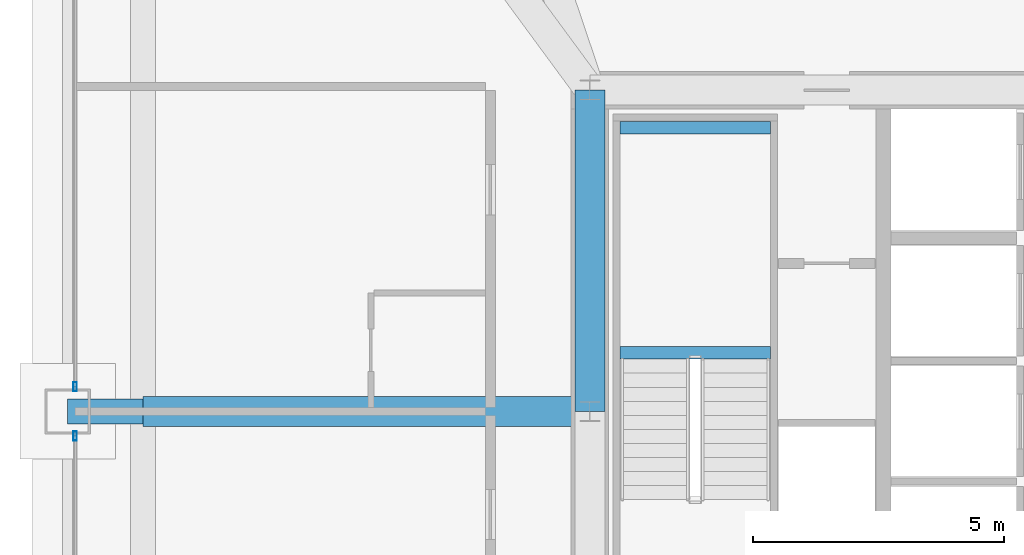
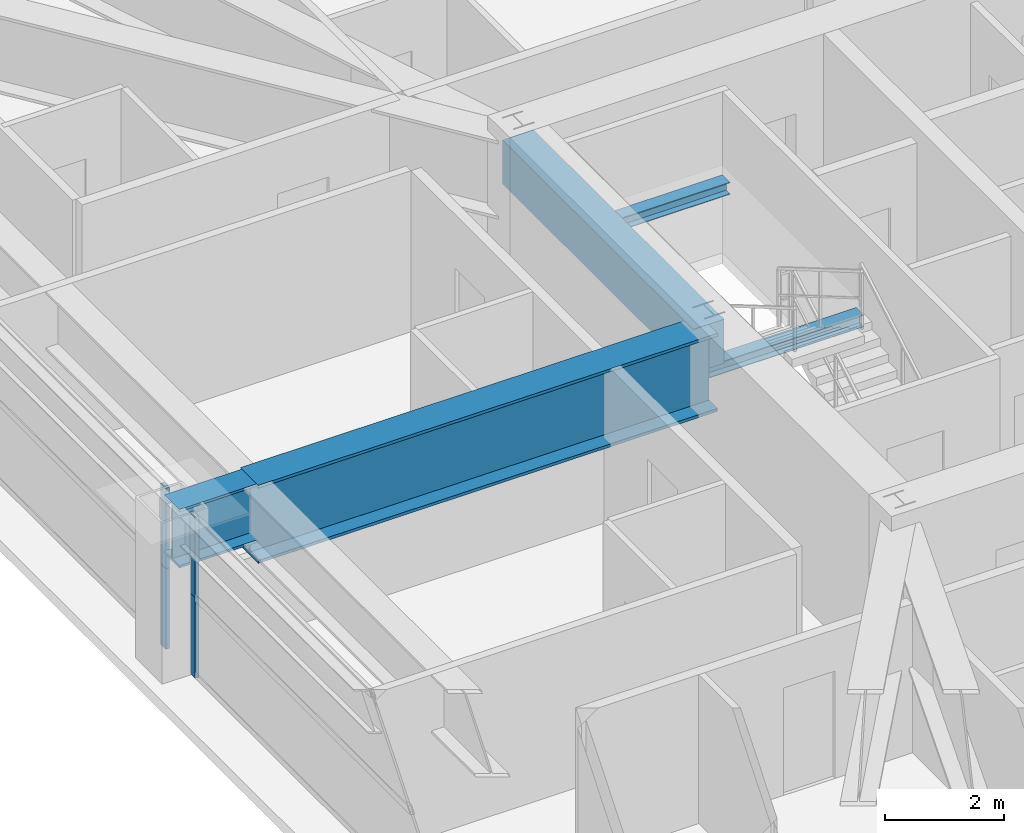
# One storey, part 14 of 45: 5 beams, 4 members, 2 elements without a shape of their own.
"""IFC4 building model written with IfcOpenShell, lengths in metres."""

from ifc_helpers import new_model, si_unit, direction, frame, origin, origin_2d, place, context, subcontext, project, spatial, rectangle, hollow_rectangle, i_section, extrude, source, transform, mapped, material, layer, layer_set, material_profile, profile_set, type_object, element, aggregate, save


model = new_model("IFC4")

# Units and contexts
model_context = context("Model", 3, precision=1e-05, world=origin(), true_north=direction((0.0, 1.0)))
body_context = subcontext(model_context, "Body", "Model", "MODEL_VIEW")
ifc_project = project(units=[si_unit("LENGTHUNIT", "METRE"), si_unit("AREAUNIT", "SQUARE_METRE"), si_unit("VOLUMEUNIT", "CUBIC_METRE"), si_unit("PLANEANGLEUNIT", "RADIAN"), si_unit("MASSUNIT", "GRAM", prefix="KILO"), si_unit("THERMODYNAMICTEMPERATUREUNIT", "KELVIN"), si_unit("POWERUNIT", "WATT")], contexts=[model_context])

# Site, building, storey
site_placement = place(None, origin())
site = spatial("IfcSite", under=ifc_project, at=site_placement, CompositionType="ELEMENT")
building_placement = place(site_placement, origin())
building = spatial("IfcBuilding", under=site, at=building_placement, Name="Yuzanri Waterfront Tower", CompositionType="ELEMENT")
storey_placement = place(building_placement, frame((0.0, 0.0, 163.199951171875)))
storey = spatial("IfcBuildingStorey", under=building, at=storey_placement, Name="L43", CompositionType="ELEMENT", Elevation=163.199951171875)

# Beams
ifc_material_1 = material(Name="Concrete C60", Category="concrete")
ifc_material_profile_1 = material_profile(ifc_material_1, rectangle(XDim=0.60009765625, YDim=0.89990234375, at=origin_2d()), Name="RC 600x900")
ifc_profile_set_1 = profile_set([ifc_material_profile_1], Name="Concrete C60")
beam_type_1 = type_object("IfcBeamType", Name="Core Coupling Lintel Concrete C60 600x900", PredefinedType="LINTEL", material=ifc_profile_set_1)
shared_shape_1 = source(origin(), body_context, "Body", "SweptSolid", [
    extrude(rectangle(XDim=0.60009765625, YDim=0.89990234375, at=origin_2d()), origin(), (0.0, 0.0, 1.0), 6.39990234375),
])
beam_1_placement = place(storey_placement, frame((23.800048828125, 25.800048828125, 2.85009765625), z_axis=(0.0, 1.0, 0.0), x_axis=(-1.0, 0.0, 0.0)))
element("IfcBeam", 1, at=beam_1_placement, inside=storey, type_object=beam_type_1, Name="L43 Core Tie Beam CW2", PredefinedType="LINTEL", context=body_context, shape_type="MappedRepresentation", body=[
    mapped(shared_shape_1, transform((0.0, 0.0, 0.0), scale=1.0)),
])
ifc_material_2 = material(Name="Steel Q420GJC", Category="steel")
ifc_material_profile_2 = material_profile(ifc_material_2, i_section(OverallWidth=0.5, OverallDepth=1.199951171875, WebThickness=0.028076171875, FlangeThickness=0.050048828125, at=origin_2d()), Name="PG 1200x500x28x50")
ifc_profile_set_2 = profile_set([ifc_material_profile_2], Name="Steel Q420GJC")
beam_type_2 = type_object("IfcBeamType", Name="Setback Transfer Girder Q420GJC PG 1200x500", PredefinedType="USERDEFINED", material=ifc_profile_set_2)
shared_shape_2 = source(origin(), body_context, "Body", "SweptSolid", [
    extrude(i_section(OverallWidth=0.5, OverallDepth=1.199951171875, WebThickness=0.028076171875, FlangeThickness=0.050048828125, at=origin_2d()), origin(), (0.0, 0.0, 1.0), 1.5),
])
beam_2_placement = place(storey_placement, frame((14.89990234375, 25.800048828125, 2.699951171875), z_axis=(-1.0, 0.0, 0.0), x_axis=(0.0, -1.0, 0.0)))
element("IfcBeam", 2, at=beam_2_placement, inside=storey, type_object=beam_type_2, Name="L43 Setback Step Transfer W2", ObjectType="GIRDER", PredefinedType="USERDEFINED", context=body_context, shape_type="MappedRepresentation", body=[
    mapped(shared_shape_2, transform((0.0, 0.0, 0.0), scale=1.0)),
])
ifc_material_3 = material(Name="Steel Q420GJC", Category="steel")
ifc_material_profile_3 = material_profile(ifc_material_3, i_section(OverallWidth=0.60009765625, OverallDepth=1.60009765625, WebThickness=0.031982421875, FlangeThickness=0.06005859375, at=origin_2d()), Name="PG 1600x600x32x60")
ifc_profile_set_3 = profile_set([ifc_material_profile_3], Name="Steel Q420GJC")
beam_type_3 = type_object("IfcBeamType", Name="Ballroom Transfer Girder Q420GJC PG 1600x600", PredefinedType="USERDEFINED", material=ifc_profile_set_3)
shared_shape_3 = source(origin(), body_context, "Body", "SweptSolid", [
    extrude(i_section(OverallWidth=0.60009765625, OverallDepth=1.60009765625, WebThickness=0.031982421875, FlangeThickness=0.06005859375, at=origin_2d()), origin(), (0.0, 0.0, 1.0), 8.900146484375),
])
beam_3_placement = place(storey_placement, frame((23.800048828125, 25.800048828125, 2.5), z_axis=(-1.0, 0.0, 0.0), x_axis=(0.0, -1.0, 0.0)))
element("IfcBeam", 3, at=beam_3_placement, inside=storey, type_object=beam_type_3, Name="L43 Setback Inner Transfer W2", ObjectType="GIRDER", PredefinedType="USERDEFINED", context=body_context, shape_type="MappedRepresentation", body=[
    mapped(shared_shape_3, transform((0.0, 0.0, 0.0), scale=1.0)),
])

# Curtain wall, members
ifc_material_4 = material(Name="Anodized Architectural Bronze", Category="metal")
ifc_layer = layer(ifc_material_4, 0.159912109375)
ifc_layer_set = layer_set([ifc_layer], Name="Anodized Architectural Bronze")
curtain_wall_type = type_object("IfcCurtainWallType", Name="Anodized Bronze Hotel Upper-Tier Solar-Control Unitized Curtain Wall 7800", PredefinedType="NOTDEFINED", material=ifc_layer_set)
curtain_wall_1_placement = place(storey_placement, origin())
curtain_wall_1 = element("IfcCurtainWall", 4, at=curtain_wall_1_placement, inside=storey, type_object=curtain_wall_type, Name="L43 Curtain Wall CW-L43-WL", PredefinedType="NOTDEFINED")
ifc_material_5 = material(Name="Anodized Architectural Bronze", Category="metal")
ifc_material_profile_4 = material_profile(ifc_material_5, hollow_rectangle(XDim=0.070068359375, YDim=0.179931640625, WallThickness=0.00390625, at=origin_2d()), Name="CWM 70x180")
ifc_profile_set_4 = profile_set([ifc_material_profile_4], Name="Anodized Architectural Bronze")
member_type = type_object("IfcMemberType", Name="Anodized Bronze Standard Curtain-Wall Mullion 70x180", PredefinedType="MULLION", material=ifc_profile_set_4)
shared_shape_4 = source(origin(), body_context, "Body", "SweptSolid", [
    extrude(hollow_rectangle(XDim=0.070068359375, YDim=0.179931640625, WallThickness=0.00390625, at=origin_2d()), origin(), (0.0, 0.0, 1.0), 1.64794921875),
])
member_1_placement = place(storey_placement, frame((13.550048828125, 25.31005859375, 0.0), z_axis=(0.0, 0.0, 1.0), x_axis=(1.0, 0.0, 0.0)))
member_1 = element("IfcMember", 5, at=member_1_placement, type_object=member_type, Name="CW-L43-WL Lower Mullion 02", PredefinedType="MULLION", context=body_context, shape_type="MappedRepresentation", body=[
    mapped(shared_shape_4, transform((0.0, 0.0, 0.0), scale=1.0)),
])
member_2_placement = place(storey_placement, frame((13.550048828125, 25.31005859375, 1.652099609375), z_axis=(0.0, 0.0, 1.0), x_axis=(1.0, 0.0, 0.0)))
member_2 = element("IfcMember", 6, at=member_2_placement, type_object=member_type, Name="CW-L43-WL Upper Mullion 02", PredefinedType="MULLION", context=body_context, shape_type="MappedRepresentation", body=[
    mapped(shared_shape_4, transform((0.0, 0.0, 0.0), scale=1.0)),
])
aggregate(curtain_wall_1, [member_1, member_2])

curtain_wall_2_placement = place(storey_placement, origin())
curtain_wall_2 = element("IfcCurtainWall", 7, at=curtain_wall_2_placement, inside=storey, type_object=curtain_wall_type, Name="L43 Curtain Wall CW-L43-WR", PredefinedType="NOTDEFINED")
member_3_placement = place(storey_placement, frame((13.550048828125, 26.2900390625, 0.0), z_axis=(0.0, 0.0, 1.0), x_axis=(1.0, 0.0, 0.0)))
member_3 = element("IfcMember", 8, at=member_3_placement, type_object=member_type, Name="CW-L43-WR Lower Mullion 00", PredefinedType="MULLION", context=body_context, shape_type="MappedRepresentation", body=[
    mapped(shared_shape_4, transform((0.0, 0.0, 0.0), scale=1.0)),
])
member_4_placement = place(storey_placement, frame((13.550048828125, 26.2900390625, 1.652099609375), z_axis=(0.0, 0.0, 1.0), x_axis=(1.0, 0.0, 0.0)))
member_4 = element("IfcMember", 9, at=member_4_placement, type_object=member_type, Name="CW-L43-WR Upper Mullion 00", PredefinedType="MULLION", context=body_context, shape_type="MappedRepresentation", body=[
    mapped(shared_shape_4, transform((0.0, 0.0, 0.0), scale=1.0)),
])
aggregate(curtain_wall_2, [member_3, member_4])

# Beams
ifc_material_6 = material(Name="Steel Q355B", Category="steel")
ifc_material_profile_5 = material_profile(ifc_material_6, i_section(OverallWidth=0.25, OverallDepth=0.25, WebThickness=0.009033203125, FlangeThickness=0.013916015625, at=origin_2d()), Name="HW 250x250x9x14")
ifc_profile_set_5 = profile_set([ifc_material_profile_5], Name="Steel Q355B")
beam_type_4 = type_object("IfcBeamType", Name="Stair Landing Support Beam Q355B HW 250x250", PredefinedType="BEAM", material=ifc_profile_set_5)
shared_shape_5 = source(origin(), body_context, "Body", "SweptSolid", [
    extrude(i_section(OverallWidth=0.25, OverallDepth=0.25, WebThickness=0.009033203125, FlangeThickness=0.013916015625, at=origin_2d()), origin(), (0.0, 0.0, 1.0), 3.0),
])
for number, where, z_axis, x_axis, name in (
    (10, (24.39990234375, 26.969970703125, 1.47509765625), (1.0, 0.0, 0.0), (0.0, 1.0, 0.0), "L43 Stair Landing Support Beam ST-01-L43-L1-1"),
    (11, (24.39990234375, 31.449951171875, 1.47509765625), (1.0, 0.0, 0.0), (0.0, 1.0, 0.0), "L43 Stair Landing Support Beam ST-01-L43-L1-2"),
):
    element("IfcBeam", number, at=place(storey_placement, frame(where, z_axis=z_axis, x_axis=x_axis)), inside=storey, type_object=beam_type_4, Name=name, PredefinedType="BEAM", context=body_context, shape_type="MappedRepresentation", body=[
        mapped(shared_shape_5, transform((0.0, 0.0, 0.0), scale=1.0)),
    ])

save(model, "model.ifc")
